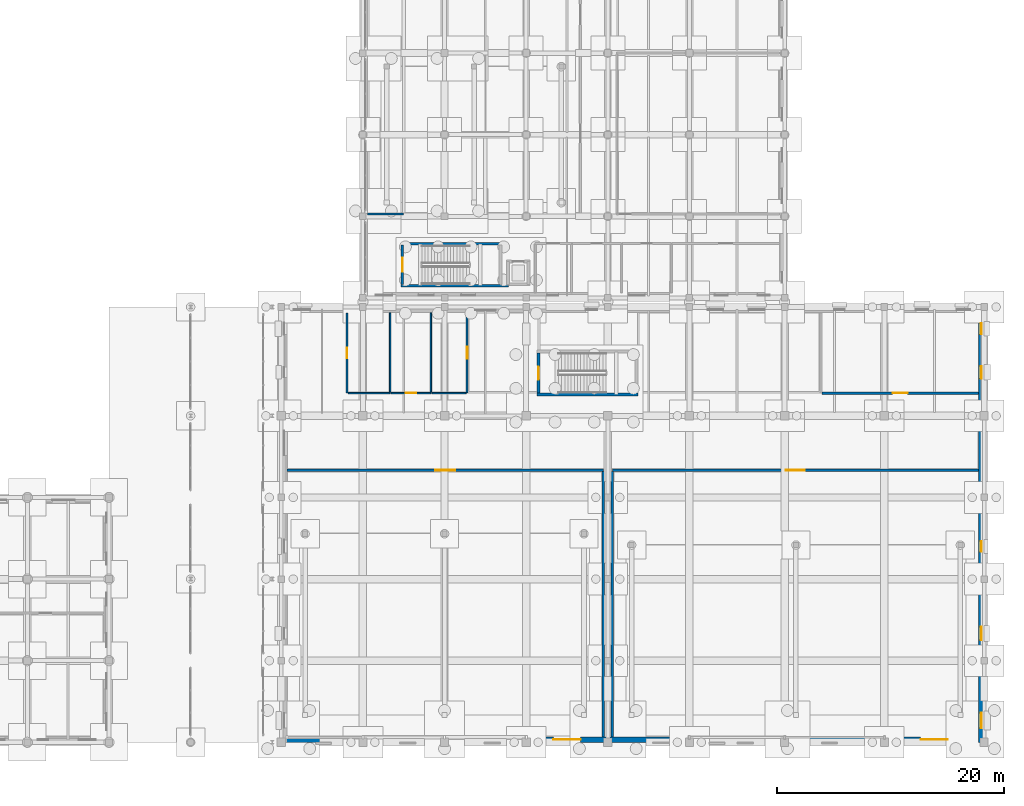
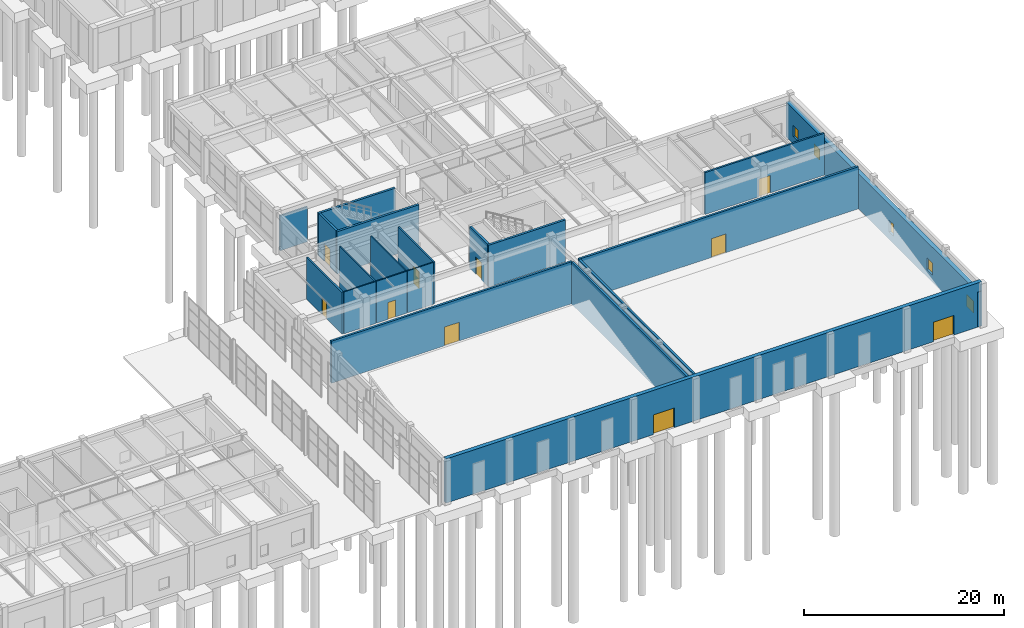
# One storey, part 74 of 91: 20 walls, 10 doors, 5 windows, 15 openings.
"""IFC4 building model written with IfcOpenShell, lengths in metres."""

from ifc_helpers import new_model, si_unit, direction, frame, frame_2d, origin, place, context, subcontext, project, spatial, rectangle, extrude, material, layer, layer_set, type_object, element, fill, save


model = new_model("IFC4")

# Units and contexts
model_context = context("Model", 3, precision=1e-05, world=origin(), true_north=direction((0.0, 1.0)))
body_context = subcontext(model_context, "Body", "Model", "MODEL_VIEW")
ifc_project = project(units=[si_unit("LENGTHUNIT", "METRE"), si_unit("AREAUNIT", "SQUARE_METRE"), si_unit("VOLUMEUNIT", "CUBIC_METRE"), si_unit("PLANEANGLEUNIT", "RADIAN"), si_unit("MASSUNIT", "GRAM", prefix="KILO")], contexts=[model_context])

# Site, building, storey
site_placement = place(None, origin())
site = spatial("IfcSite", under=ifc_project, at=site_placement, CompositionType="ELEMENT")
building_placement = place(site_placement, origin())
building = spatial("IfcBuilding", under=site, at=building_placement, Name="Bramveld Media Centre", CompositionType="ELEMENT")
storey_placement = place(building_placement, origin())
storey = spatial("IfcBuildingStorey", under=building, at=storey_placement, Name="L00", CompositionType="ELEMENT", Elevation=0.0)

# Wall
ifc_material_1 = material(Name="Concrete C40/50 stair & lift core wall", Category="concrete")
ifc_layer_1 = layer(ifc_material_1, 0.25)
ifc_layer_set_1 = layer_set([ifc_layer_1], Name="Concrete C40/50 stair & lift core wall")
wall_type_1 = type_object("IfcWallType", Name="CWALL-SHEAR-250", PredefinedType="SHEAR", material=ifc_layer_set_1)
wall_1_placement = place(storey_placement, frame((146.550048828125, 30.675048828125, 0.0), z_axis=(0.0, 0.0, 1.0), x_axis=(1.0, 0.0, 0.0)))
element("IfcWall", 1, at=wall_1_placement, inside=storey, type_object=wall_type_1, Name="ST-03 L00 stair core shear wall S", PredefinedType="SHEAR", context=body_context, shape_type="SweptSolid", body=[
    extrude(rectangle(XDim=8.89990234375, YDim=0.25, at=frame_2d((4.449951171875, 0.0))), origin(), (0.0, 0.0, 1.0), 5.1201171875),
])

# Wall, opening, door
wall_2_placement = place(storey_placement, frame((146.675048828125, 34.35009765625, 0.0), z_axis=(0.0, 0.0, 1.0), x_axis=(0.0, -1.0, 0.0)))
wall_2 = element("IfcWall", 2, at=wall_2_placement, inside=storey, type_object=wall_type_1, Name="ST-03 L00 stair core shear wall W", PredefinedType="SHEAR", context=body_context, shape_type="SweptSolid", body=[
    extrude(rectangle(XDim=3.550048828125, YDim=0.25, at=frame_2d((1.77490234375, 0.0))), origin(), (0.0, 0.0, 1.0), 5.1201171875),
])
opening_1_placement = place(wall_2_placement, frame((1.199951171875, 0.0, 0.0)))
opening_1 = element("IfcOpeningElement", 3, at=opening_1_placement, cuts=wall_2, Name="Opening SD-03-L00", PredefinedType="OPENING", context=body_context, shape_type="SweptSolid", body=[
    extrude(rectangle(XDim=1.14990234375, YDim=2.14990234375, at=frame_2d((0.574951171875, 1.074951171875))), frame((0.0, 0.136962890625, 0.0), z_axis=(0.0, -1.0, 0.0), x_axis=(1.0, 0.0, 0.0)), (0.0, 0.0, 1.0), 0.27392578125),
])
ifc_material_2 = material(Name="Painted galvanized steel acoustic fire door with intumescent smoke seals", Category="steel")
door_type_1 = type_object("IfcDoorType", Name="DR-ST-1150", OperationType="NOTDEFINED", PredefinedType="DOOR", material=ifc_material_2)
door_1_placement = place(opening_1_placement, origin())
door_1 = element("IfcDoor", 4, at=door_1_placement, inside=storey, type_object=door_type_1, Name="ST-03 L00 pressurized stair fire door", OperationType="SINGLE_SWING_LEFT", OverallHeight=2.14990234375, OverallWidth=1.14990234375, PredefinedType="DOOR", context=body_context, shape_type="SweptSolid", body=[
    extrude(rectangle(XDim=1.14990234375, YDim=2.14990234375, at=frame_2d((0.574951171875, 1.074951171875))), frame((0.0, 0.02490234375, 0.0), z_axis=(0.0, -1.0, 0.0), x_axis=(1.0, 0.0, 0.0)), (0.0, 0.0, 1.0), 0.050048828125),
])
fill(opening_1, door_1)

# Walls
wall_3_placement = place(storey_placement, frame((134.550048828125, 40.27490234375, 0.0), z_axis=(0.0, 0.0, 1.0), x_axis=(1.0, 0.0, 0.0)))
element("IfcWall", 5, at=wall_3_placement, inside=storey, type_object=wall_type_1, Name="ST-08 L00 stair core shear wall S", PredefinedType="SHEAR", context=body_context, shape_type="SweptSolid", body=[
    extrude(rectangle(XDim=9.469970703125, YDim=0.25, at=frame_2d((4.73486328125, 0.0))), origin(), (0.0, 0.0, 1.0), 5.159912109375),
])
wall_4_placement = place(storey_placement, frame((143.449951171875, 43.97509765625, 0.0), z_axis=(0.0, 0.0, 1.0), x_axis=(-1.0, 0.0, 0.0)))
element("IfcWall", 6, at=wall_4_placement, inside=storey, type_object=wall_type_1, Name="ST-08 L00 stair core shear wall N", PredefinedType="SHEAR", context=body_context, shape_type="SweptSolid", body=[
    extrude(rectangle(XDim=8.89990234375, YDim=0.25, at=frame_2d((4.449951171875, 0.0))), origin(), (0.0, 0.0, 1.0), 5.159912109375),
])

# Wall, opening, door
wall_5_placement = place(storey_placement, frame((134.675048828125, 43.85009765625, 0.0), z_axis=(0.0, 0.0, 1.0), x_axis=(0.0, -1.0, 0.0)))
wall_5 = element("IfcWall", 7, at=wall_5_placement, inside=storey, type_object=wall_type_1, Name="ST-08 L00 stair core shear wall W", PredefinedType="SHEAR", context=body_context, shape_type="SweptSolid", body=[
    extrude(rectangle(XDim=3.4501953125, YDim=0.25, at=frame_2d((1.72509765625, 0.0))), origin(), (0.0, 0.0, 1.0), 5.159912109375),
])
opening_2_placement = place(wall_5_placement, frame((1.125, 0.0, 0.0)))
opening_2 = element("IfcOpeningElement", 8, at=opening_2_placement, cuts=wall_5, Name="Opening SD-08-L00", PredefinedType="OPENING", context=body_context, shape_type="SweptSolid", body=[
    extrude(rectangle(XDim=1.199951171875, YDim=2.14990234375, at=frame_2d((0.60009765625, 1.074951171875))), frame((0.0, 0.136962890625, 0.0), z_axis=(0.0, -1.0, 0.0), x_axis=(1.0, 0.0, 0.0)), (0.0, 0.0, 1.0), 0.27392578125),
])
ifc_material_3 = material(Name="Painted galvanized steel acoustic fire door with intumescent smoke seals", Category="steel")
door_type_2 = type_object("IfcDoorType", Name="DR-ST-1200", OperationType="NOTDEFINED", PredefinedType="DOOR", material=ifc_material_3)
door_2_placement = place(opening_2_placement, origin())
door_2 = element("IfcDoor", 9, at=door_2_placement, inside=storey, type_object=door_type_2, Name="ST-08 L00 pressurized stair fire door", OperationType="SINGLE_SWING_LEFT", OverallHeight=2.14990234375, OverallWidth=1.199951171875, PredefinedType="DOOR", context=body_context, shape_type="SweptSolid", body=[
    extrude(rectangle(XDim=1.199951171875, YDim=2.14990234375, at=frame_2d((0.60009765625, 1.074951171875))), frame((0.0, 0.02490234375, 0.0), z_axis=(0.0, -1.0, 0.0), x_axis=(1.0, 0.0, 0.0)), (0.0, 0.0, 1.0), 0.050048828125),
])
fill(opening_2, door_2)

# Wall, openings, windows
ifc_material_4 = material(Name="Double-leaf Concrete C40/50 cinema acoustic shell wall with brick outer leaf", Category="masonry")
ifc_layer_2 = layer(ifc_material_4, 0.5)
ifc_layer_set_2 = layer_set([ifc_layer_2], Name="Double-leaf Concrete C40/50 cinema acoustic shell wall with brick outer leaf")
wall_type_2 = type_object("IfcWallType", Name="EW-ACOU-500", PredefinedType="SOLIDWALL", material=ifc_layer_set_2)
wall_6_placement = place(storey_placement, frame((185.75, 38.39990234375, 0.0), z_axis=(0.0, 0.0, 1.0), x_axis=(0.0, -1.0, 0.0)))
wall_6 = element("IfcWall", 10, at=wall_6_placement, inside=storey, type_object=wall_type_2, Name="V1 L00 E facing brick exterior wall", PredefinedType="SOLIDWALL", context=body_context, shape_type="SweptSolid", body=[
    extrude(rectangle(XDim=38.39990234375, YDim=0.5, at=frame_2d((19.199951171875, 0.0))), origin(), (0.0, 0.0, 1.0), 4.27490234375),
])
opening_3_placement = place(wall_6_placement, frame((1.419921875, 0.0, 0.89990234375)))
opening_3 = element("IfcOpeningElement", 11, at=opening_3_placement, cuts=wall_6, Name="Opening W-02", PredefinedType="OPENING", context=body_context, shape_type="SweptSolid", body=[
    extrude(rectangle(XDim=1.0, YDim=1.35009765625, at=frame_2d((0.5, 0.675048828125))), frame((0.0, 0.261962890625, 0.0), z_axis=(0.0, -1.0, 0.0), x_axis=(1.0, 0.0, 0.0)), (0.0, 0.0, 1.0), 0.52392578125),
])
opening_4_placement = place(wall_6_placement, frame((5.2099609375, 0.0, 0.89990234375)))
opening_4 = element("IfcOpeningElement", 12, at=opening_4_placement, cuts=wall_6, Name="Opening W-03", PredefinedType="OPENING", context=body_context, shape_type="SweptSolid", body=[
    extrude(rectangle(XDim=1.10009765625, YDim=1.35009765625, at=frame_2d((0.550048828125, 0.675048828125))), frame((0.0, 0.261962890625, 0.0), z_axis=(0.0, -1.0, 0.0), x_axis=(1.0, 0.0, 0.0)), (0.0, 0.0, 1.0), 0.52392578125),
])
opening_5_placement = place(wall_6_placement, frame((20.64501953125, 0.0, 0.89990234375)))
opening_5 = element("IfcOpeningElement", 13, at=opening_5_placement, cuts=wall_6, Name="Opening W-07", PredefinedType="OPENING", context=body_context, shape_type="SweptSolid", body=[
    extrude(rectangle(XDim=0.949951171875, YDim=1.449951171875, at=frame_2d((0.47509765625, 0.72509765625))), frame((0.0, 0.261962890625, 0.0), z_axis=(0.0, -1.0, 0.0), x_axis=(1.0, 0.0, 0.0)), (0.0, 0.0, 1.0), 0.52392578125),
])
opening_6_placement = place(wall_6_placement, frame((28.22509765625, 0.0, 0.89990234375)))
opening_6 = element("IfcOpeningElement", 14, at=opening_6_placement, cuts=wall_6, Name="Opening W-09", PredefinedType="OPENING", context=body_context, shape_type="SweptSolid", body=[
    extrude(rectangle(XDim=1.14990234375, YDim=1.449951171875, at=frame_2d((0.574951171875, 0.72509765625))), frame((0.0, 0.261962890625, 0.0), z_axis=(0.0, -1.0, 0.0), x_axis=(1.0, 0.0, 0.0)), (0.0, 0.0, 1.0), 0.52392578125),
])
opening_7_placement = place(wall_6_placement, frame((35.804931640625, 0.0, 0.89990234375)))
opening_7 = element("IfcOpeningElement", 15, at=opening_7_placement, cuts=wall_6, Name="Opening W-11", PredefinedType="OPENING", context=body_context, shape_type="SweptSolid", body=[
    extrude(rectangle(XDim=1.35009765625, YDim=1.449951171875, at=frame_2d((0.675048828125, 0.72509765625))), frame((0.0, 0.261962890625, 0.0), z_axis=(0.0, -1.0, 0.0), x_axis=(1.0, 0.0, 0.0)), (0.0, 0.0, 1.0), 0.52392578125),
])
ifc_material_5 = material(Name="Thermally broken anodized bronze aluminium frame with triple acoustic glazing", Category="aluminium")
window_type_1 = type_object("IfcWindowType", Name="WIN-FAC-02", PartitioningType="SINGLE_PANEL", PredefinedType="WINDOW", material=ifc_material_5)
window_1_placement = place(opening_3_placement, origin())
window_1 = element("IfcWindow", 16, at=window_1_placement, inside=storey, type_object=window_type_1, Name="V1 L00 E acoustic facade window", OverallHeight=1.35009765625, OverallWidth=1.0, PartitioningType="SINGLE_PANEL", PredefinedType="WINDOW", context=body_context, shape_type="SweptSolid", body=[
    extrude(rectangle(XDim=1.0, YDim=1.35009765625, at=frame_2d((0.5, 0.675048828125))), frame((0.0, 0.030029296875, 0.0), z_axis=(0.0, -1.0, 0.0), x_axis=(1.0, 0.0, 0.0)), (0.0, 0.0, 1.0), 0.06005859375),
])
fill(opening_3, window_1)
ifc_material_6 = material(Name="Thermally broken anodized bronze aluminium frame with triple acoustic glazing", Category="aluminium")
window_type_2 = type_object("IfcWindowType", Name="WIN-FAC-03", PartitioningType="SINGLE_PANEL", PredefinedType="WINDOW", material=ifc_material_6)
window_2_placement = place(opening_4_placement, origin())
window_2 = element("IfcWindow", 17, at=window_2_placement, inside=storey, type_object=window_type_2, Name="V1 L00 E acoustic facade window", OverallHeight=1.35009765625, OverallWidth=1.10009765625, PartitioningType="SINGLE_PANEL", PredefinedType="WINDOW", context=body_context, shape_type="SweptSolid", body=[
    extrude(rectangle(XDim=1.10009765625, YDim=1.35009765625, at=frame_2d((0.550048828125, 0.675048828125))), frame((0.0, 0.030029296875, 0.0), z_axis=(0.0, -1.0, 0.0), x_axis=(1.0, 0.0, 0.0)), (0.0, 0.0, 1.0), 0.06005859375),
])
fill(opening_4, window_2)
ifc_material_7 = material(Name="Thermally broken anodized bronze aluminium frame with triple acoustic glazing", Category="aluminium")
window_type_3 = type_object("IfcWindowType", Name="WIN-FAC-07", PartitioningType="SINGLE_PANEL", PredefinedType="WINDOW", material=ifc_material_7)
window_3_placement = place(opening_5_placement, origin())
window_3 = element("IfcWindow", 18, at=window_3_placement, inside=storey, type_object=window_type_3, Name="V1 L00 E acoustic facade window", OverallHeight=1.449951171875, OverallWidth=0.949951171875, PartitioningType="SINGLE_PANEL", PredefinedType="WINDOW", context=body_context, shape_type="SweptSolid", body=[
    extrude(rectangle(XDim=0.949951171875, YDim=1.449951171875, at=frame_2d((0.47509765625, 0.72509765625))), frame((0.0, 0.030029296875, 0.0), z_axis=(0.0, -1.0, 0.0), x_axis=(1.0, 0.0, 0.0)), (0.0, 0.0, 1.0), 0.06005859375),
])
fill(opening_5, window_3)
ifc_material_8 = material(Name="Thermally broken anodized bronze aluminium frame with triple acoustic glazing", Category="aluminium")
window_type_4 = type_object("IfcWindowType", Name="WIN-FAC-09", PartitioningType="SINGLE_PANEL", PredefinedType="WINDOW", material=ifc_material_8)
window_4_placement = place(opening_6_placement, origin())
window_4 = element("IfcWindow", 19, at=window_4_placement, inside=storey, type_object=window_type_4, Name="V1 L00 E acoustic facade window", OverallHeight=1.449951171875, OverallWidth=1.14990234375, PartitioningType="SINGLE_PANEL", PredefinedType="WINDOW", context=body_context, shape_type="SweptSolid", body=[
    extrude(rectangle(XDim=1.14990234375, YDim=1.449951171875, at=frame_2d((0.574951171875, 0.72509765625))), frame((0.0, 0.030029296875, 0.0), z_axis=(0.0, -1.0, 0.0), x_axis=(1.0, 0.0, 0.0)), (0.0, 0.0, 1.0), 0.06005859375),
])
fill(opening_6, window_4)
ifc_material_9 = material(Name="Thermally broken anodized bronze aluminium frame with triple acoustic glazing", Category="aluminium")
window_type_5 = type_object("IfcWindowType", Name="WIN-FAC-11", PartitioningType="SINGLE_PANEL", PredefinedType="WINDOW", material=ifc_material_9)
window_5_placement = place(opening_7_placement, origin())
window_5 = element("IfcWindow", 20, at=window_5_placement, inside=storey, type_object=window_type_5, Name="V1 L00 E acoustic facade window", OverallHeight=1.449951171875, OverallWidth=1.35009765625, PartitioningType="SINGLE_PANEL", PredefinedType="WINDOW", context=body_context, shape_type="SweptSolid", body=[
    extrude(rectangle(XDim=1.35009765625, YDim=1.449951171875, at=frame_2d((0.675048828125, 0.72509765625))), frame((0.0, 0.030029296875, 0.0), z_axis=(0.0, -1.0, 0.0), x_axis=(1.0, 0.0, 0.0)), (0.0, 0.0, 1.0), 0.06005859375),
])
fill(opening_7, window_5)

# Wall, openings, doors
ifc_material_10 = material(Name="Flemish red-brown clay facing brick cavity wall with concrete C35/45 inner leaf", Category="masonry")
ifc_layer_3 = layer(ifc_material_10, 0.4599609375)
ifc_layer_set_3 = layer_set([ifc_layer_3], Name="Flemish red-brown clay facing brick cavity wall with concrete C35/45 inner leaf")
wall_type_3 = type_object("IfcWallType", Name="EW-BRK-460", PredefinedType="SOLIDWALL", material=ifc_layer_set_3)
wall_7_placement = place(storey_placement, frame((186.0, 0.22998046875, 0.0), z_axis=(0.0, 0.0, 1.0), x_axis=(-1.0, 0.0, 0.0)))
wall_7 = element("IfcWall", 21, at=wall_7_placement, inside=storey, type_object=wall_type_3, Name="V1 L00 S facing brick exterior wall", PredefinedType="SOLIDWALL", context=body_context, shape_type="SweptSolid", body=[
    extrude(rectangle(XDim=62.0, YDim=0.4599609375, at=frame_2d((31.0, 0.0))), origin(), (0.0, 0.0, 1.0), 5.39990234375),
])
opening_8_placement = place(wall_7_placement, frame((35.60009765625, 0.0, 0.0)))
opening_8 = element("IfcOpeningElement", 22, at=opening_8_placement, cuts=wall_7, Name="Opening ED-04", PredefinedType="OPENING", context=body_context, shape_type="SweptSolid", body=[
    extrude(rectangle(XDim=2.39990234375, YDim=2.39990234375, at=frame_2d((1.199951171875, 1.199951171875))), frame((0.0, 0.241943359375, 0.0), z_axis=(0.0, -1.0, 0.0), x_axis=(1.0, 0.0, 0.0)), (0.0, 0.0, 1.0), 0.48388671875),
])
opening_9_placement = place(wall_7_placement, frame((3.199951171875, 0.0, 0.0)))
opening_9 = element("IfcOpeningElement", 23, at=opening_9_placement, cuts=wall_7, Name="Opening ED-05", PredefinedType="OPENING", context=body_context, shape_type="SweptSolid", body=[
    extrude(rectangle(XDim=2.39990234375, YDim=2.39990234375, at=frame_2d((1.199951171875, 1.199951171875))), frame((0.0, 0.241943359375, 0.0), z_axis=(0.0, -1.0, 0.0), x_axis=(1.0, 0.0, 0.0)), (0.0, 0.0, 1.0), 0.48388671875),
])
ifc_material_11 = material(Name="Insulated powder-coated bronze aluminium & laminated safety glass door", Category="aluminium")
door_type_3 = type_object("IfcDoorType", Name="DR-EXT-2400", OperationType="NOTDEFINED", PredefinedType="DOOR", material=ifc_material_11)
door_3_placement = place(opening_8_placement, origin())
door_3 = element("IfcDoor", 24, at=door_3_placement, inside=storey, type_object=door_type_3, Name="Exterior door ED-04", OperationType="DOUBLE_DOOR_SINGLE_SWING", OverallHeight=2.39990234375, OverallWidth=2.39990234375, PredefinedType="DOOR", context=body_context, shape_type="SweptSolid", body=[
    extrude(rectangle(XDim=2.39990234375, YDim=2.39990234375, at=frame_2d((1.199951171875, 1.199951171875))), frame((0.0, 0.02490234375, 0.0), z_axis=(0.0, -1.0, 0.0), x_axis=(1.0, 0.0, 0.0)), (0.0, 0.0, 1.0), 0.050048828125),
])
fill(opening_8, door_3)
door_4_placement = place(opening_9_placement, origin())
door_4 = element("IfcDoor", 25, at=door_4_placement, inside=storey, type_object=door_type_3, Name="Exterior door ED-05", OperationType="DOUBLE_DOOR_SINGLE_SWING", OverallHeight=2.39990234375, OverallWidth=2.39990234375, PredefinedType="DOOR", context=body_context, shape_type="SweptSolid", body=[
    extrude(rectangle(XDim=2.39990234375, YDim=2.39990234375, at=frame_2d((1.199951171875, 1.199951171875))), frame((0.0, 0.02490234375, 0.0), z_axis=(0.0, -1.0, 0.0), x_axis=(1.0, 0.0, 0.0)), (0.0, 0.0, 1.0), 0.050048828125),
])
fill(opening_9, door_4)

# Wall, opening, door
ifc_material_12 = material(Name="Acoustic calcium-silicate & mineral-wool compartment partition", Category="masonry")
ifc_layer_4 = layer(ifc_material_12, 0.199951171875)
ifc_layer_set_4 = layer_set([ifc_layer_4], Name="Acoustic calcium-silicate & mineral-wool compartment partition")
wall_type_4 = type_object("IfcWallType", Name="IW-ACOU-200", PredefinedType="PARTITIONING", material=ifc_layer_set_4)
wall_8_placement = place(storey_placement, frame((171.699951171875, 30.800048828125, 0.0), z_axis=(0.0, 0.0, 1.0), x_axis=(1.0, 0.0, 0.0)))
wall_8 = element("IfcWall", 26, at=wall_8_placement, inside=storey, type_object=wall_type_4, Name="District Heating & Acoustic Plant Room partition wall", PredefinedType="PARTITIONING", context=body_context, shape_type="SweptSolid", body=[
    extrude(rectangle(XDim=13.7900390625, YDim=0.199951171875, at=frame_2d((6.89501953125, 0.0))), origin(), (0.0, 0.0, 1.0), 5.1201171875),
])
opening_10_placement = place(wall_8_placement, frame((6.235107421875, 0.0, 0.0)))
opening_10 = element("IfcOpeningElement", 27, at=opening_10_placement, cuts=wall_8, Name="Opening D-00-006", PredefinedType="OPENING", context=body_context, shape_type="SweptSolid", body=[
    extrude(rectangle(XDim=1.320068359375, YDim=2.14990234375, at=frame_2d((0.66015625, 1.074951171875))), frame((0.0, 0.11181640625, 0.0), z_axis=(0.0, -1.0, 0.0), x_axis=(1.0, 0.0, 0.0)), (0.0, 0.0, 1.0), 0.223876953125),
])
ifc_material_13 = material(Name="Fire-rated acoustic timber & steel composite door", Category="steel")
door_type_4 = type_object("IfcDoorType", Name="DR-PLANT-1320", OperationType="NOTDEFINED", PredefinedType="DOOR", material=ifc_material_13)
door_5_placement = place(opening_10_placement, origin())
door_5 = element("IfcDoor", 28, at=door_5_placement, inside=storey, type_object=door_type_4, Name="District Heating & Acoustic Plant Room entrance door", OperationType="SINGLE_SWING_RIGHT", OverallHeight=2.14990234375, OverallWidth=1.320068359375, PredefinedType="DOOR", context=body_context, shape_type="SweptSolid", body=[
    extrude(rectangle(XDim=1.320068359375, YDim=2.14990234375, at=frame_2d((0.66015625, 1.074951171875))), frame((0.0, 0.02490234375, 0.0), z_axis=(0.0, -1.0, 0.0), x_axis=(1.0, 0.0, 0.0)), (0.0, 0.0, 1.0), 0.050048828125),
])
fill(opening_10, door_5)

ifc_material_14 = material(Name="Double-stud acoustic gypsum & mineral-wool studio wall", Category="gypsum")
ifc_layer_5 = layer(ifc_material_14, 0.239990234375)
ifc_layer_set_5 = layer_set([ifc_layer_5], Name="Double-stud acoustic gypsum & mineral-wool studio wall")
wall_type_5 = type_object("IfcWallType", Name="IW-ACOU-240", PredefinedType="PARTITIONING", material=ifc_layer_set_5)
wall_9_placement = place(storey_placement, frame((124.510009765625, 24.0, 0.0), z_axis=(0.0, 0.0, 1.0), x_axis=(1.0, 0.0, 0.0)))
wall_9 = element("IfcWall", 29, at=wall_9_placement, inside=storey, type_object=wall_type_5, Name="Cinema 1 Grand Premiere Auditorium partition wall", PredefinedType="PARTITIONING", context=body_context, shape_type="SweptSolid", body=[
    extrude(rectangle(XDim=27.889892578125, YDim=0.239990234375, at=frame_2d((13.94482421875, 0.0))), origin(), (0.0, 0.0, 1.0), 5.14990234375),
])
opening_11_placement = place(wall_9_placement, frame((13.06494140625, 0.0, 0.0)))
opening_11 = element("IfcOpeningElement", 30, at=opening_11_placement, cuts=wall_9, Name="Opening D-00-001", PredefinedType="OPENING", context=body_context, shape_type="SweptSolid", body=[
    extrude(rectangle(XDim=1.760009765625, YDim=2.300048828125, at=frame_2d((0.8798828125, 1.14990234375))), frame((0.0, 0.1318359375, 0.0), z_axis=(0.0, -1.0, 0.0), x_axis=(1.0, 0.0, 0.0)), (0.0, 0.0, 1.0), 0.263916015625),
])
ifc_material_15 = material(Name="Fire-rated acoustic timber & steel composite door", Category="steel")
door_type_5 = type_object("IfcDoorType", Name="DR-HALL-1760", OperationType="NOTDEFINED", PredefinedType="DOOR", material=ifc_material_15)
door_6_placement = place(opening_11_placement, origin())
door_6 = element("IfcDoor", 31, at=door_6_placement, inside=storey, type_object=door_type_5, Name="Cinema 1 Grand Premiere Auditorium entrance door", OperationType="DOUBLE_DOOR_SINGLE_SWING", OverallHeight=2.300048828125, OverallWidth=1.760009765625, PredefinedType="DOOR", context=body_context, shape_type="SweptSolid", body=[
    extrude(rectangle(XDim=1.760009765625, YDim=2.300048828125, at=frame_2d((0.8798828125, 1.14990234375))), frame((0.0, 0.02490234375, 0.0), z_axis=(0.0, -1.0, 0.0), x_axis=(1.0, 0.0, 0.0)), (0.0, 0.0, 1.0), 0.050048828125),
])
fill(opening_11, door_6)

# Wall
wall_10_placement = place(storey_placement, frame((152.39990234375, 0.469970703125, 0.0), z_axis=(0.0, 0.0, 1.0), x_axis=(0.0, 1.0, 0.0)))
element("IfcWall", 32, at=wall_10_placement, inside=storey, type_object=wall_type_5, Name="Cinema 1 Grand Premiere Auditorium partition wall", PredefinedType="PARTITIONING", context=body_context, shape_type="SweptSolid", body=[
    extrude(rectangle(XDim=23.400146484375, YDim=0.239990234375, at=frame_2d((11.7001953125, 0.0))), origin(), (0.0, 0.0, 1.0), 5.14990234375),
])

# Wall, opening, door
wall_11_placement = place(storey_placement, frame((153.199951171875, 24.0, 0.0), z_axis=(0.0, 0.0, 1.0), x_axis=(1.0, 0.0, 0.0)))
wall_11 = element("IfcWall", 33, at=wall_11_placement, inside=storey, type_object=wall_type_5, Name="Cinema 2 Festival Auditorium partition wall", PredefinedType="PARTITIONING", context=body_context, shape_type="SweptSolid", body=[
    extrude(rectangle(XDim=32.2900390625, YDim=0.239990234375, at=frame_2d((16.14501953125, 0.0))), origin(), (0.0, 0.0, 1.0), 5.14990234375),
])
opening_12_placement = place(wall_11_placement, frame((15.304931640625, 0.0, 0.0)))
opening_12 = element("IfcOpeningElement", 34, at=opening_12_placement, cuts=wall_11, Name="Opening D-00-002", PredefinedType="OPENING", context=body_context, shape_type="SweptSolid", body=[
    extrude(rectangle(XDim=1.679931640625, YDim=2.300048828125, at=frame_2d((0.83984375, 1.14990234375))), frame((0.0, 0.1318359375, 0.0), z_axis=(0.0, -1.0, 0.0), x_axis=(1.0, 0.0, 0.0)), (0.0, 0.0, 1.0), 0.263916015625),
])
ifc_material_16 = material(Name="Fire-rated acoustic timber & steel composite door", Category="steel")
door_type_6 = type_object("IfcDoorType", Name="DR-HALL-1680", OperationType="NOTDEFINED", PredefinedType="DOOR", material=ifc_material_16)
door_7_placement = place(opening_12_placement, origin())
door_7 = element("IfcDoor", 35, at=door_7_placement, inside=storey, type_object=door_type_6, Name="Cinema 2 Festival Auditorium entrance door", OperationType="DOUBLE_DOOR_SINGLE_SWING", OverallHeight=2.300048828125, OverallWidth=1.679931640625, PredefinedType="DOOR", context=body_context, shape_type="SweptSolid", body=[
    extrude(rectangle(XDim=1.679931640625, YDim=2.300048828125, at=frame_2d((0.83984375, 1.14990234375))), frame((0.0, 0.02490234375, 0.0), z_axis=(0.0, -1.0, 0.0), x_axis=(1.0, 0.0, 0.0)), (0.0, 0.0, 1.0), 0.050048828125),
])
fill(opening_12, door_7)

# Wall
wall_12_placement = place(storey_placement, frame((153.199951171875, 0.469970703125, 0.0), z_axis=(0.0, 0.0, 1.0), x_axis=(0.0, 1.0, 0.0)))
element("IfcWall", 36, at=wall_12_placement, inside=storey, type_object=wall_type_5, Name="Cinema 2 Festival Auditorium partition wall", PredefinedType="PARTITIONING", context=body_context, shape_type="SweptSolid", body=[
    extrude(rectangle(XDim=23.400146484375, YDim=0.239990234375, at=frame_2d((11.7001953125, 0.0))), origin(), (0.0, 0.0, 1.0), 5.14990234375),
])

# Wall, opening, door
ifc_material_17 = material(Name="Fire-rated twin-frame gypsum corridor wall", Category="gypsum")
ifc_layer_6 = layer(ifc_material_17, 0.179931640625)
ifc_layer_set_6 = layer_set([ifc_layer_6], Name="Fire-rated twin-frame gypsum corridor wall")
wall_type_6 = type_object("IfcWallType", Name="IW-FIRE-180", PredefinedType="PARTITIONING", material=ifc_layer_set_6)
wall_13_placement = place(storey_placement, frame((140.39990234375, 30.800048828125, 0.0), z_axis=(0.0, 0.0, 1.0), x_axis=(0.0, 1.0, 0.0)))
wall_13 = element("IfcWall", 37, at=wall_13_placement, inside=storey, type_object=wall_type_6, Name="Stair ST-03 West Landing Lobby partition wall", PredefinedType="PARTITIONING", context=body_context, shape_type="SweptSolid", body=[
    extrude(rectangle(XDim=7.08984375, YDim=0.179931640625, at=frame_2d((3.544921875, 0.0))), origin(), (0.0, 0.0, 1.0), 5.1201171875),
])
opening_13_placement = place(wall_13_placement, frame((3.014892578125, 0.0, 0.0)))
opening_13 = element("IfcOpeningElement", 38, at=opening_13_placement, cuts=wall_13, Name="Opening D-00-005", PredefinedType="OPENING", context=body_context, shape_type="SweptSolid", body=[
    extrude(rectangle(XDim=1.06005859375, YDim=2.10009765625, at=frame_2d((0.530029296875, 1.050048828125))), frame((0.0, 0.10205078125, 0.0), z_axis=(0.0, -1.0, 0.0), x_axis=(1.0, 0.0, 0.0)), (0.0, 0.0, 1.0), 0.203857421875),
])
ifc_material_18 = material(Name="Solid-core European oak acoustic timber leaf in steel frame", Category="steel")
door_type_7 = type_object("IfcDoorType", Name="DR-WC-PMR-1060", OperationType="NOTDEFINED", PredefinedType="DOOR", material=ifc_material_18)
door_8_placement = place(opening_13_placement, origin())
door_8 = element("IfcDoor", 39, at=door_8_placement, inside=storey, type_object=door_type_7, Name="Accessible WC entrance door", OperationType="SINGLE_SWING_LEFT", OverallHeight=2.10009765625, OverallWidth=1.06005859375, PredefinedType="DOOR", context=body_context, shape_type="SweptSolid", body=[
    extrude(rectangle(XDim=1.06005859375, YDim=2.10009765625, at=frame_2d((0.530029296875, 1.050048828125))), frame((0.0, 0.02490234375, 0.0), z_axis=(0.0, -1.0, 0.0), x_axis=(1.0, 0.0, 0.0)), (0.0, 0.0, 1.0), 0.050048828125),
])
fill(opening_13, door_8)

wall_14_placement = place(storey_placement, frame((129.800048828125, 30.800048828125, 0.0), z_axis=(0.0, 0.0, 1.0), x_axis=(0.0, 1.0, 0.0)))
wall_14 = element("IfcWall", 40, at=wall_14_placement, inside=storey, type_object=wall_type_6, Name="Cinema Acoustic Sound-Lock Vestibule partition wall", PredefinedType="PARTITIONING", context=body_context, shape_type="SweptSolid", body=[
    extrude(rectangle(XDim=7.08984375, YDim=0.179931640625, at=frame_2d((3.544921875, 0.0))), origin(), (0.0, 0.0, 1.0), 5.1201171875),
])
opening_14_placement = place(wall_14_placement, frame((3.090087890625, 0.0, 0.0)))
opening_14 = element("IfcOpeningElement", 41, at=opening_14_placement, cuts=wall_14, Name="Opening D-00-003", PredefinedType="OPENING", context=body_context, shape_type="SweptSolid", body=[
    extrude(rectangle(XDim=0.909912109375, YDim=2.06005859375, at=frame_2d((0.455078125, 1.030029296875))), frame((0.0, 0.10205078125, 0.0), z_axis=(0.0, -1.0, 0.0), x_axis=(1.0, 0.0, 0.0)), (0.0, 0.0, 1.0), 0.203857421875),
])
ifc_material_19 = material(Name="Solid-core European oak acoustic timber leaf in steel frame", Category="steel")
door_type_8 = type_object("IfcDoorType", Name="DR-WC-0910", OperationType="NOTDEFINED", PredefinedType="DOOR", material=ifc_material_19)
door_9_placement = place(opening_14_placement, origin())
door_9 = element("IfcDoor", 42, at=door_9_placement, inside=storey, type_object=door_type_8, Name="Male WC entrance door", OperationType="SINGLE_SWING_LEFT", OverallHeight=2.06005859375, OverallWidth=0.909912109375, PredefinedType="DOOR", context=body_context, shape_type="SweptSolid", body=[
    extrude(rectangle(XDim=0.909912109375, YDim=2.06005859375, at=frame_2d((0.455078125, 1.030029296875))), frame((0.0, 0.02490234375, 0.0), z_axis=(0.0, -1.0, 0.0), x_axis=(1.0, 0.0, 0.0)), (0.0, 0.0, 1.0), 0.050048828125),
])
fill(opening_14, door_9)

# Walls
wall_15_placement = place(storey_placement, frame((131.614990234375, 46.60009765625, 0.0), z_axis=(0.0, 0.0, 1.0), x_axis=(1.0, 0.0, 0.0)))
element("IfcWall", 43, at=wall_15_placement, inside=storey, type_object=wall_type_6, Name="Stair ST-08 L00 Landing Lobby partition wall", PredefinedType="PARTITIONING", context=body_context, shape_type="SweptSolid", body=[
    extrude(rectangle(XDim=3.18505859375, YDim=0.179931640625, at=frame_2d((1.592529296875, 0.0))), origin(), (0.0, 0.0, 1.0), 4.284912109375),
])
ifc_material_20 = material(Name="Moisture-resistant cement-board sanitary partition", Category="gypsum")
ifc_layer_7 = layer(ifc_material_20, 0.139892578125)
ifc_layer_set_7 = layer_set([ifc_layer_7], Name="Moisture-resistant cement-board sanitary partition")
wall_type_7 = type_object("IfcWallType", Name="IW-WET-140", PredefinedType="PARTITIONING", material=ifc_layer_set_7)
wall_16_placement = place(storey_placement, frame((129.89990234375, 30.800048828125, 0.0), z_axis=(0.0, 0.0, 1.0), x_axis=(1.0, 0.0, 0.0)))
element("IfcWall", 44, at=wall_16_placement, inside=storey, type_object=wall_type_7, Name="Male WC partition wall", PredefinedType="PARTITIONING", context=body_context, shape_type="SweptSolid", body=[
    extrude(rectangle(XDim=3.7001953125, YDim=0.139892578125, at=frame_2d((1.85009765625, 0.0))), origin(), (0.0, 0.0, 1.0), 5.1201171875),
])
wall_17_placement = place(storey_placement, frame((133.60009765625, 30.8798828125, 0.0), z_axis=(0.0, 0.0, 1.0), x_axis=(0.0, 1.0, 0.0)))
element("IfcWall", 45, at=wall_17_placement, inside=storey, type_object=wall_type_7, Name="Male WC partition wall", PredefinedType="PARTITIONING", context=body_context, shape_type="SweptSolid", body=[
    extrude(rectangle(XDim=7.010009765625, YDim=0.139892578125, at=frame_2d((3.5048828125, 0.0))), origin(), (0.0, 0.0, 1.0), 5.1201171875),
])

# Wall, opening, door
wall_18_placement = place(storey_placement, frame((133.679931640625, 30.800048828125, 0.0), z_axis=(0.0, 0.0, 1.0), x_axis=(1.0, 0.0, 0.0)))
wall_18 = element("IfcWall", 46, at=wall_18_placement, inside=storey, type_object=wall_type_7, Name="Female WC partition wall", PredefinedType="PARTITIONING", context=body_context, shape_type="SweptSolid", body=[
    extrude(rectangle(XDim=3.52001953125, YDim=0.139892578125, at=frame_2d((1.760009765625, 0.0))), origin(), (0.0, 0.0, 1.0), 5.1201171875),
])
opening_15_placement = place(wall_18_placement, frame((1.31494140625, 0.0, 0.0)))
opening_15 = element("IfcOpeningElement", 47, at=opening_15_placement, cuts=wall_18, Name="Opening D-00-004", PredefinedType="OPENING", context=body_context, shape_type="SweptSolid", body=[
    extrude(rectangle(XDim=0.889892578125, YDim=2.050048828125, at=frame_2d((0.44482421875, 1.02490234375))), frame((0.0, 0.08203125, 0.0), z_axis=(0.0, -1.0, 0.0), x_axis=(1.0, 0.0, 0.0)), (0.0, 0.0, 1.0), 0.163818359375),
])
ifc_material_21 = material(Name="Solid-core European oak acoustic timber leaf in steel frame", Category="steel")
door_type_9 = type_object("IfcDoorType", Name="DR-WC-0890", OperationType="NOTDEFINED", PredefinedType="DOOR", material=ifc_material_21)
door_10_placement = place(opening_15_placement, origin())
door_10 = element("IfcDoor", 48, at=door_10_placement, inside=storey, type_object=door_type_9, Name="Female WC entrance door", OperationType="SINGLE_SWING_RIGHT", OverallHeight=2.050048828125, OverallWidth=0.889892578125, PredefinedType="DOOR", context=body_context, shape_type="SweptSolid", body=[
    extrude(rectangle(XDim=0.889892578125, YDim=2.050048828125, at=frame_2d((0.44482421875, 1.02490234375))), frame((0.0, 0.02490234375, 0.0), z_axis=(0.0, -1.0, 0.0), x_axis=(1.0, 0.0, 0.0)), (0.0, 0.0, 1.0), 0.050048828125),
])
fill(opening_15, door_10)

# Walls
wall_19_placement = place(storey_placement, frame((137.199951171875, 30.8798828125, 0.0), z_axis=(0.0, 0.0, 1.0), x_axis=(0.0, 1.0, 0.0)))
element("IfcWall", 49, at=wall_19_placement, inside=storey, type_object=wall_type_7, Name="Female WC partition wall", PredefinedType="PARTITIONING", context=body_context, shape_type="SweptSolid", body=[
    extrude(rectangle(XDim=7.010009765625, YDim=0.139892578125, at=frame_2d((3.5048828125, 0.0))), origin(), (0.0, 0.0, 1.0), 5.1201171875),
])
wall_20_placement = place(storey_placement, frame((137.280029296875, 30.800048828125, 0.0), z_axis=(0.0, 0.0, 1.0), x_axis=(1.0, 0.0, 0.0)))
element("IfcWall", 50, at=wall_20_placement, inside=storey, type_object=wall_type_7, Name="Accessible WC partition wall", PredefinedType="PARTITIONING", context=body_context, shape_type="SweptSolid", body=[
    extrude(rectangle(XDim=3.02001953125, YDim=0.139892578125, at=frame_2d((1.510009765625, 0.0))), origin(), (0.0, 0.0, 1.0), 5.1201171875),
])

save(model, "model.ifc")
